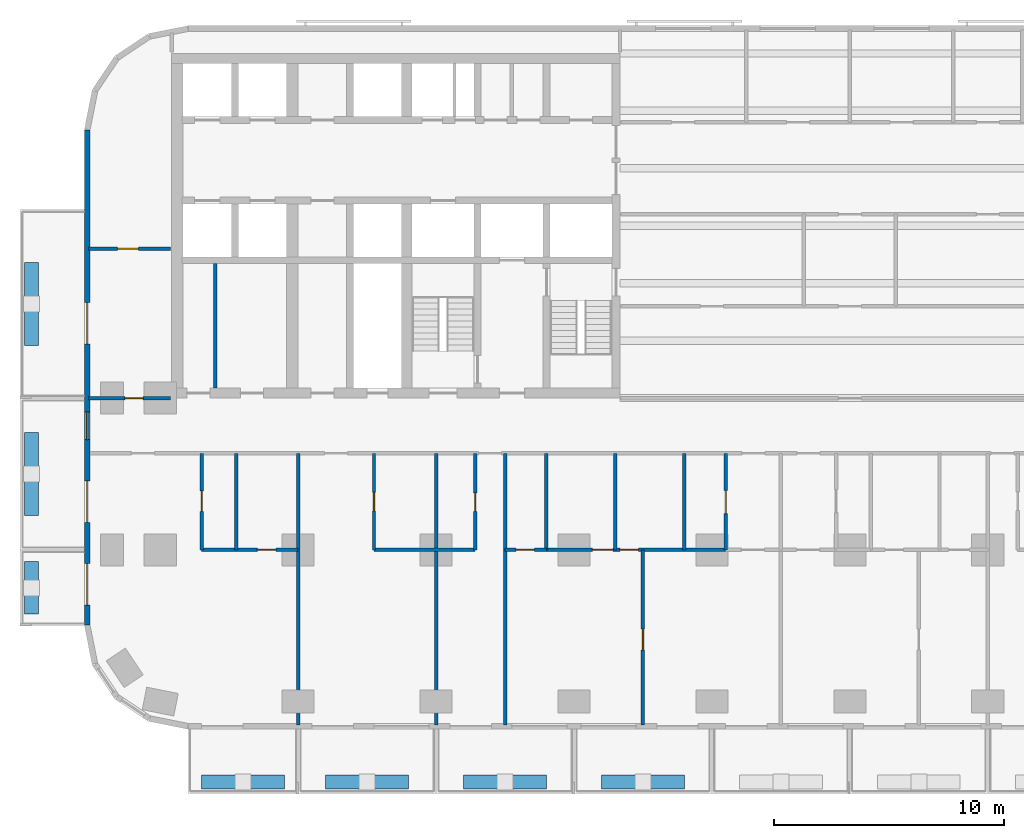
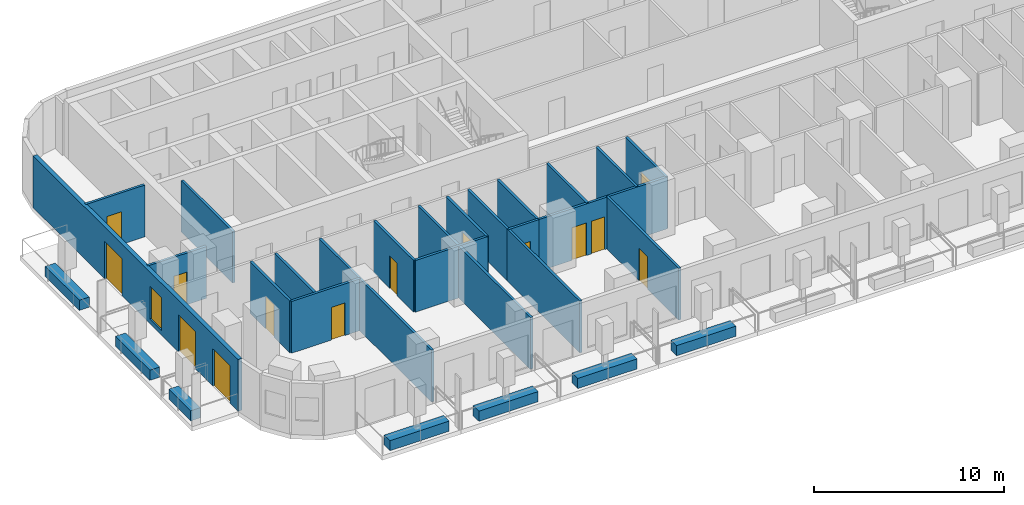
# One storey, part 2 of 13: 28 walls, 14 doors, 1 window, 15 openings.
"""IFC4 building model written with IfcOpenShell, lengths in metres."""

from ifc_helpers import new_model, si_unit, direction, frame, frame_2d, origin, place, context, subcontext, project, spatial, rectangle, extrude, material, layer, layer_set, type_object, element, fill, save


model = new_model("IFC4")

# Units and contexts
model_context = context("Model", 3, precision=1e-05, world=origin(), true_north=direction((0.0, 1.0)))
body_context = subcontext(model_context, "Body", "Model", "MODEL_VIEW")
ifc_project = project(units=[si_unit("LENGTHUNIT", "METRE"), si_unit("AREAUNIT", "SQUARE_METRE"), si_unit("VOLUMEUNIT", "CUBIC_METRE"), si_unit("PLANEANGLEUNIT", "RADIAN"), si_unit("MASSUNIT", "GRAM", prefix="KILO")], contexts=[model_context])

# Site, building, storey
site_placement = place(None, origin())
site = spatial("IfcSite", under=ifc_project, at=site_placement, CompositionType="ELEMENT")
building_placement = place(site_placement, origin())
building = spatial("IfcBuilding", under=site, at=building_placement, Name="Torana Hotel and Residences", CompositionType="ELEMENT")
storey_placement = place(building_placement, frame((0.0, 0.0, 78.0)))
storey = spatial("IfcBuildingStorey", under=building, at=storey_placement, Name="L19", CompositionType="ELEMENT", Elevation=78.0)

# Wall, openings, doors, window
ifc_material_1 = material(Name="Black aluminium composite panel", Category="aluminium")
ifc_layer_1 = layer(ifc_material_1, 0.00390625, Name="Cladding", Category="cladding")
ifc_material_2 = material(Name="Ventilated air cavity")
ifc_layer_2 = layer(ifc_material_2, 0.0400390625, Name="Ventilated cavity", Category="cavity")
ifc_material_3 = material(Name="Mineral wool insulation")
ifc_layer_3 = layer(ifc_material_3, 0.090087890625, Name="Insulation", Category="insulation")
ifc_material_4 = material(Name="Steel S280GD", Category="steel")
ifc_layer_4 = layer(ifc_material_4, 0.092041015625, Name="Steel stud frame", Category="structure")
ifc_material_5 = material(Name="Fire rated plasterboard")
ifc_layer_5 = layer(ifc_material_5, 0.011962890625, Name="Inner board", Category="finish")
ifc_layer_6 = layer(ifc_material_5, 0.011962890625, Name="Second board", Category="finish")
ifc_layer_set_1 = layer_set([ifc_layer_1, ifc_layer_2, ifc_layer_3, ifc_layer_4, ifc_layer_5, ifc_layer_6], Name="EW1 EXTERNAL WALL BLACK METAL CLAD 250")
wall_type_1 = type_object("IfcWallType", Name="EW1 EXTERNAL WALL BLACK METAL CLAD 250", PredefinedType="SOLIDWALL", material=ifc_layer_set_1)
wall_1_placement = place(storey_placement, frame((-33.175048828125, -3.32470703125, 0.0), z_axis=(0.0, 0.0, 1.0), x_axis=(0.0, -1.0, 0.0)))
wall_1 = element("IfcWall", 1, at=wall_1_placement, inside=storey, type_object=wall_type_1, Name="External wall L19 e0.9", PredefinedType="SOLIDWALL", context=body_context, shape_type="SweptSolid", body=[
    extrude(rectangle(XDim=21.55078125, YDim=0.25, at=frame_2d((10.775390625, 0.0))), origin(), (0.0, 0.0, 1.0), 3.320068359375),
])
opening_1_placement = place(wall_1_placement, frame((7.525390625, 0.0, 0.0)))
opening_1 = element("IfcOpeningElement", 2, at=opening_1_placement, cuts=wall_1, Name="Opening L19-E14", PredefinedType="OPENING", context=body_context, shape_type="SweptSolid", body=[
    extrude(rectangle(XDim=1.800048828125, YDim=2.39990234375, at=frame_2d((0.89990234375, 1.199951171875))), frame((0.0, 0.135009765625, 0.0), z_axis=(0.0, -1.0, 0.0), x_axis=(1.0, 0.0, 0.0)), (0.0, 0.0, 1.0), 0.27001953125),
])
opening_2_placement = place(wall_1_placement, frame((12.275390625, 0.0, 0.300048828125)))
opening_2 = element("IfcOpeningElement", 3, at=opening_2_placement, cuts=wall_1, Name="Opening W7", PredefinedType="OPENING", context=body_context, shape_type="SweptSolid", body=[
    extrude(rectangle(XDim=1.199951171875, YDim=2.10009765625, at=frame_2d((0.60009765625, 1.050048828125))), frame((0.0, 0.135009765625, 0.0), z_axis=(0.0, -1.0, 0.0), x_axis=(1.0, 0.0, 0.0)), (0.0, 0.0, 1.0), 0.27001953125),
])
opening_3_placement = place(wall_1_placement, frame((15.275390625, 0.0, 0.0)))
opening_3 = element("IfcOpeningElement", 4, at=opening_3_placement, cuts=wall_1, Name="Opening L19-E15", PredefinedType="OPENING", context=body_context, shape_type="SweptSolid", body=[
    extrude(rectangle(XDim=1.800048828125, YDim=2.39990234375, at=frame_2d((0.89990234375, 1.199951171875))), frame((0.0, 0.135009765625, 0.0), z_axis=(0.0, -1.0, 0.0), x_axis=(1.0, 0.0, 0.0)), (0.0, 0.0, 1.0), 0.27001953125),
])
opening_4_placement = place(wall_1_placement, frame((18.87548828125, 0.0, 0.0)))
opening_4 = element("IfcOpeningElement", 5, at=opening_4_placement, cuts=wall_1, Name="Opening L19-E16", PredefinedType="OPENING", context=body_context, shape_type="SweptSolid", body=[
    extrude(rectangle(XDim=1.800048828125, YDim=2.39990234375, at=frame_2d((0.89990234375, 1.199951171875))), frame((0.0, 0.135009765625, 0.0), z_axis=(0.0, -1.0, 0.0), x_axis=(1.0, 0.0, 0.0)), (0.0, 0.0, 1.0), 0.27001953125),
])
ifc_material_6 = material(Name="Dark glass in black aluminium frame", Category="aluminium")
door_type_1 = type_object("IfcDoorType", Name="DB1 BALCONY DOOR 1800x2400", OperationType="DOUBLE_DOOR_SINGLE_SWING", PredefinedType="DOOR", material=ifc_material_6)
door_1_placement = place(opening_1_placement, origin())
door_1 = element("IfcDoor", 6, at=door_1_placement, inside=storey, type_object=door_type_1, Name="Balcony door L19", OperationType="DOUBLE_DOOR_SINGLE_SWING", OverallHeight=2.39990234375, OverallWidth=1.800048828125, PredefinedType="DOOR", context=body_context, shape_type="SweptSolid", body=[
    extrude(rectangle(XDim=1.800048828125, YDim=2.39990234375, at=frame_2d((0.89990234375, 1.199951171875))), frame((0.0, 0.02490234375, 0.0), z_axis=(0.0, -1.0, 0.0), x_axis=(1.0, 0.0, 0.0)), (0.0, 0.0, 1.0), 0.050048828125),
])
fill(opening_1, door_1)
door_2_placement = place(opening_3_placement, origin())
door_2 = element("IfcDoor", 7, at=door_2_placement, inside=storey, type_object=door_type_1, Name="Balcony door L19", OperationType="DOUBLE_DOOR_SINGLE_SWING", OverallHeight=2.39990234375, OverallWidth=1.800048828125, PredefinedType="DOOR", context=body_context, shape_type="SweptSolid", body=[
    extrude(rectangle(XDim=1.800048828125, YDim=2.39990234375, at=frame_2d((0.89990234375, 1.199951171875))), frame((0.0, 0.02490234375, 0.0), z_axis=(0.0, -1.0, 0.0), x_axis=(1.0, 0.0, 0.0)), (0.0, 0.0, 1.0), 0.050048828125),
])
fill(opening_3, door_2)
door_3_placement = place(opening_4_placement, frame((0.89990234375, 0.0, 0.0), z_axis=(0.0, 0.0, 1.0), x_axis=(-1.0, 0.0, 0.0)))
door_3 = element("IfcDoor", 8, at=door_3_placement, inside=storey, type_object=door_type_1, Name="Balcony door L19", OperationType="DOUBLE_DOOR_SINGLE_SWING", OverallHeight=2.39990234375, OverallWidth=1.800048828125, PredefinedType="DOOR", context=body_context, shape_type="SweptSolid", body=[
    extrude(rectangle(XDim=1.800048828125, YDim=2.39990234375, at=frame_2d((0.0, 1.199951171875))), frame((0.0, -0.02490234375, 0.0), z_axis=(0.0, 1.0, 0.0), x_axis=(-1.0, 0.0, 0.0)), (0.0, 0.0, 1.0), 0.050048828125),
])
fill(opening_4, door_3)
ifc_material_7 = material(Name="Dark glass in black aluminium frame", Category="aluminium")
window_type = type_object("IfcWindowType", Name="W7 HOTEL CORRIDOR WINDOW 1200x2100", PartitioningType="SINGLE_PANEL", PredefinedType="WINDOW", material=ifc_material_7)
window_placement = place(opening_2_placement, origin())
window = element("IfcWindow", 9, at=window_placement, inside=storey, type_object=window_type, Name="Window L19", OverallHeight=2.10009765625, OverallWidth=1.199951171875, PartitioningType="SINGLE_PANEL", PredefinedType="WINDOW", context=body_context, shape_type="SweptSolid", body=[
    extrude(rectangle(XDim=1.199951171875, YDim=2.10009765625, at=frame_2d((0.60009765625, 1.050048828125))), frame((0.0, 0.030029296875, 0.0), z_axis=(0.0, -1.0, 0.0), x_axis=(1.0, 0.0, 0.0)), (0.0, 0.0, 1.0), 0.06005859375),
])
fill(opening_2, window)

# Wall
ifc_material_8 = material(Name="Gypsum plaster")
ifc_layer_7 = layer(ifc_material_8, 0.014892578125, Name="Plaster", Category="finish")
ifc_material_9 = material(Name="Concrete blockwork", Category="masonry")
ifc_layer_8 = layer(ifc_material_9, 0.1201171875, Name="Blockwork", Category="structure")
ifc_layer_9 = layer(ifc_material_8, 0.014892578125, Name="Plaster", Category="finish")
ifc_layer_set_2 = layer_set([ifc_layer_7, ifc_layer_8, ifc_layer_9], Name="FIRE PARTITION 150 BLOCKWORK")
wall_type_2 = type_object("IfcWallType", Name="FIRE PARTITION 150 BLOCKWORK", PredefinedType="PARTITIONING", material=ifc_layer_set_2)
wall_2_placement = place(storey_placement, frame((-27.60009765625, -14.550048828125, 0.0), z_axis=(0.0, 0.0, 1.0), x_axis=(0.0, 1.0, 0.0)))
element("IfcWall", 10, at=wall_2_placement, inside=storey, type_object=wall_type_2, Name="Core partition L19", PredefinedType="PARTITIONING", context=body_context, shape_type="SweptSolid", body=[
    extrude(rectangle(XDim=5.400146484375, YDim=0.14990234375, at=frame_2d((2.7001953125, 0.0))), origin(), (0.0, 0.0, 1.0), 3.300048828125),
])

# Wall, opening, door
wall_3_placement = place(storey_placement, frame((-5.39990234375, -21.60009765625, 0.0), z_axis=(0.0, 0.0, 1.0), x_axis=(0.0, 1.0, 0.0)))
wall_3 = element("IfcWall", 11, at=wall_3_placement, inside=storey, type_object=wall_type_2, Name="Partition L19", PredefinedType="PARTITIONING", context=body_context, shape_type="SweptSolid", body=[
    extrude(rectangle(XDim=4.2001953125, YDim=0.14990234375, at=frame_2d((2.10009765625, 0.0))), origin(), (0.0, 0.0, 1.0), 3.320068359375),
])
opening_5_placement = place(wall_3_placement, frame((1.580078125, 0.0, 0.0)))
opening_5 = element("IfcOpeningElement", 12, at=opening_5_placement, cuts=wall_3, Name="Opening L19-63", PredefinedType="OPENING", context=body_context, shape_type="SweptSolid", body=[
    extrude(rectangle(XDim=1.0, YDim=2.10009765625, at=frame_2d((0.5, 1.050048828125))), frame((0.0, 0.0849609375, 0.0), z_axis=(0.0, -1.0, 0.0), x_axis=(1.0, 0.0, 0.0)), (0.0, 0.0, 1.0), 0.169921875),
])
ifc_material_10 = material(Name="Steel S235", Category="steel")
door_type_2 = type_object("IfcDoorType", Name="ENTRY FIRE DOOR D6 1000x2100", OperationType="SINGLE_SWING_LEFT", PredefinedType="DOOR", material=ifc_material_10)
door_4_placement = place(opening_5_placement, origin())
door_4 = element("IfcDoor", 13, at=door_4_placement, inside=storey, type_object=door_type_2, Name="Door L19", OperationType="SINGLE_SWING_RIGHT", OverallHeight=2.10009765625, OverallWidth=1.0, PredefinedType="DOOR", context=body_context, shape_type="SweptSolid", body=[
    extrude(rectangle(XDim=1.0, YDim=2.10009765625, at=frame_2d((0.5, 1.050048828125))), frame((0.0, 0.02490234375, 0.0), z_axis=(0.0, -1.0, 0.0), x_axis=(1.0, 0.0, 0.0)), (0.0, 0.0, 1.0), 0.050048828125),
])
fill(opening_5, door_4)

wall_4_placement = place(storey_placement, frame((-33.1201171875, -15.0, 0.0), z_axis=(0.0, 0.0, 1.0), x_axis=(1.0, 0.0, 0.0)))
wall_4 = element("IfcWall", 14, at=wall_4_placement, inside=storey, type_object=wall_type_2, Name="Partition L19", PredefinedType="PARTITIONING", context=body_context, shape_type="SweptSolid", body=[
    extrude(rectangle(XDim=3.570068359375, YDim=0.14990234375, at=frame_2d((1.78515625, 0.0))), origin(), (0.0, 0.0, 1.0), 3.320068359375),
])
opening_6_placement = place(wall_4_placement, frame((1.580078125, 0.0, 0.0)))
opening_6 = element("IfcOpeningElement", 15, at=opening_6_placement, cuts=wall_4, Name="Opening L19-47", PredefinedType="OPENING", context=body_context, shape_type="SweptSolid", body=[
    extrude(rectangle(XDim=0.800048828125, YDim=2.10009765625, at=frame_2d((0.39990234375, 1.050048828125))), frame((0.0, 0.0849609375, 0.0), z_axis=(0.0, -1.0, 0.0), x_axis=(1.0, 0.0, 0.0)), (0.0, 0.0, 1.0), 0.169921875),
])
ifc_material_11 = material(Name="Steel S235", Category="steel")
door_type_3 = type_object("IfcDoorType", Name="STORE FIRE DOOR D16 800x2100", OperationType="SINGLE_SWING_LEFT", PredefinedType="DOOR", material=ifc_material_11)
door_5_placement = place(opening_6_placement, origin())
door_5 = element("IfcDoor", 16, at=door_5_placement, inside=storey, type_object=door_type_3, Name="Door L19", OperationType="SINGLE_SWING_RIGHT", OverallHeight=2.10009765625, OverallWidth=0.800048828125, PredefinedType="DOOR", context=body_context, shape_type="SweptSolid", body=[
    extrude(rectangle(XDim=0.800048828125, YDim=2.10009765625, at=frame_2d((0.39990234375, 1.050048828125))), frame((0.0, 0.02490234375, 0.0), z_axis=(0.0, -1.0, 0.0), x_axis=(1.0, 0.0, 0.0)), (0.0, 0.0, 1.0), 0.050048828125),
])
fill(opening_6, door_5)

# Wall
ifc_material_12 = material(Name="Gypsum plasterboard")
ifc_layer_10 = layer(ifc_material_12, 0.012451171875, Name="Plasterboard", Category="finish")
ifc_layer_11 = layer(ifc_material_12, 0.012451171875, Name="Plasterboard", Category="finish")
ifc_layer_12 = layer(ifc_material_4, 0.10009765625, Name="Steel studs with mineral wool", Category="insulation")
ifc_layer_13 = layer(ifc_material_12, 0.012451171875, Name="Plasterboard", Category="finish")
ifc_layer_14 = layer(ifc_material_12, 0.012451171875, Name="Plasterboard", Category="finish")
ifc_layer_set_3 = layer_set([ifc_layer_10, ifc_layer_11, ifc_layer_12, ifc_layer_13, ifc_layer_14], Name="PARTITION 150 PLASTERBOARD")
wall_type_3 = type_object("IfcWallType", Name="PARTITION 150 PLASTERBOARD", PredefinedType="PARTITIONING", material=ifc_layer_set_3)
wall_5_placement = place(storey_placement, frame((-7.199951171875, -21.60009765625, 0.0), z_axis=(0.0, 0.0, 1.0), x_axis=(0.0, 1.0, 0.0)))
element("IfcWall", 17, at=wall_5_placement, inside=storey, type_object=wall_type_3, Name="Partition L19", PredefinedType="PARTITIONING", context=body_context, shape_type="SweptSolid", body=[
    extrude(rectangle(XDim=4.2001953125, YDim=0.14990234375, at=frame_2d((2.10009765625, 0.0))), origin(), (0.0, 0.0, 1.0), 3.320068359375),
])

# Wall, opening, door
wall_6_placement = place(storey_placement, frame((-9.0, -29.219970703125, 0.0), z_axis=(0.0, 0.0, 1.0), x_axis=(0.0, 1.0, 0.0)))
wall_6 = element("IfcWall", 18, at=wall_6_placement, inside=storey, type_object=wall_type_3, Name="Partition L19", PredefinedType="PARTITIONING", context=body_context, shape_type="SweptSolid", body=[
    extrude(rectangle(XDim=7.619873046875, YDim=0.14990234375, at=frame_2d((3.81005859375, 0.0))), origin(), (0.0, 0.0, 1.0), 3.320068359375),
])
opening_7_placement = place(wall_6_placement, frame((3.27001953125, 0.0, 0.0)))
opening_7 = element("IfcOpeningElement", 19, at=opening_7_placement, cuts=wall_6, Name="Opening L19-65", PredefinedType="OPENING", context=body_context, shape_type="SweptSolid", body=[
    extrude(rectangle(XDim=0.89990234375, YDim=2.10009765625, at=frame_2d((0.449951171875, 1.050048828125))), frame((0.0, 0.0849609375, 0.0), z_axis=(0.0, -1.0, 0.0), x_axis=(1.0, 0.0, 0.0)), (0.0, 0.0, 1.0), 0.169921875),
])
ifc_material_13 = material(Name="Timber door, oiled ash", Category="wood")
door_type_4 = type_object("IfcDoorType", Name="ROOM DOOR D7 900x2100", OperationType="SINGLE_SWING_LEFT", PredefinedType="DOOR", material=ifc_material_13)
door_6_placement = place(opening_7_placement, origin())
door_6 = element("IfcDoor", 20, at=door_6_placement, inside=storey, type_object=door_type_4, Name="Door L19", OperationType="SINGLE_SWING_RIGHT", OverallHeight=2.10009765625, OverallWidth=0.89990234375, PredefinedType="DOOR", context=body_context, shape_type="SweptSolid", body=[
    extrude(rectangle(XDim=0.89990234375, YDim=2.10009765625, at=frame_2d((0.449951171875, 1.050048828125))), frame((0.0, 0.02490234375, 0.0), z_axis=(0.0, -1.0, 0.0), x_axis=(1.0, 0.0, 0.0)), (0.0, 0.0, 1.0), 0.050048828125),
])
fill(opening_7, door_6)

# Walls
wall_7_placement = place(storey_placement, frame((-10.199951171875, -21.60009765625, 0.0), z_axis=(0.0, 0.0, 1.0), x_axis=(0.0, 1.0, 0.0)))
element("IfcWall", 21, at=wall_7_placement, inside=storey, type_object=wall_type_3, Name="Partition L19", PredefinedType="PARTITIONING", context=body_context, shape_type="SweptSolid", body=[
    extrude(rectangle(XDim=4.2001953125, YDim=0.14990234375, at=frame_2d((2.10009765625, 0.0))), origin(), (0.0, 0.0, 1.0), 3.320068359375),
])
wall_8_placement = place(storey_placement, frame((-15.0, -29.219970703125, 0.0), z_axis=(0.0, 0.0, 1.0), x_axis=(0.0, 1.0, 0.0)))
element("IfcWall", 22, at=wall_8_placement, inside=storey, type_object=wall_type_3, Name="Partition L19", PredefinedType="PARTITIONING", context=body_context, shape_type="SweptSolid", body=[
    extrude(rectangle(XDim=7.619873046875, YDim=0.14990234375, at=frame_2d((3.81005859375, 0.0))), origin(), (0.0, 0.0, 1.0), 3.320068359375),
])

# Wall, opening, door
wall_9_placement = place(storey_placement, frame((-16.300048828125, -21.60009765625, 0.0), z_axis=(0.0, 0.0, 1.0), x_axis=(0.0, 1.0, 0.0)))
wall_9 = element("IfcWall", 23, at=wall_9_placement, inside=storey, type_object=wall_type_3, Name="Partition L19", PredefinedType="PARTITIONING", context=body_context, shape_type="SweptSolid", body=[
    extrude(rectangle(XDim=4.2001953125, YDim=0.14990234375, at=frame_2d((2.10009765625, 0.0))), origin(), (0.0, 0.0, 1.0), 3.320068359375),
])
opening_8_placement = place(wall_9_placement, frame((1.679931640625, 0.0, 0.0)))
opening_8 = element("IfcOpeningElement", 24, at=opening_8_placement, cuts=wall_9, Name="Opening L19-59", PredefinedType="OPENING", context=body_context, shape_type="SweptSolid", body=[
    extrude(rectangle(XDim=0.800048828125, YDim=2.10009765625, at=frame_2d((0.39990234375, 1.050048828125))), frame((0.0, 0.0849609375, 0.0), z_axis=(0.0, -1.0, 0.0), x_axis=(1.0, 0.0, 0.0)), (0.0, 0.0, 1.0), 0.169921875),
])
ifc_material_14 = material(Name="Timber door, painted", Category="wood")
door_type_5 = type_object("IfcDoorType", Name="BATH DOOR D13 800x2100", OperationType="SINGLE_SWING_LEFT", PredefinedType="DOOR", material=ifc_material_14)
door_7_placement = place(opening_8_placement, origin())
door_7 = element("IfcDoor", 25, at=door_7_placement, inside=storey, type_object=door_type_5, Name="Door L19", OperationType="SINGLE_SWING_RIGHT", OverallHeight=2.10009765625, OverallWidth=0.800048828125, PredefinedType="DOOR", context=body_context, shape_type="SweptSolid", body=[
    extrude(rectangle(XDim=0.800048828125, YDim=2.10009765625, at=frame_2d((0.39990234375, 1.050048828125))), frame((0.0, 0.02490234375, 0.0), z_axis=(0.0, -1.0, 0.0), x_axis=(1.0, 0.0, 0.0)), (0.0, 0.0, 1.0), 0.050048828125),
])
fill(opening_8, door_7)

# Wall
wall_10_placement = place(storey_placement, frame((-18.0, -29.219970703125, 0.0), z_axis=(0.0, 0.0, 1.0), x_axis=(0.0, 1.0, 0.0)))
element("IfcWall", 26, at=wall_10_placement, inside=storey, type_object=wall_type_3, Name="Partition L19", PredefinedType="PARTITIONING", context=body_context, shape_type="SweptSolid", body=[
    extrude(rectangle(XDim=11.820068359375, YDim=0.14990234375, at=frame_2d((5.91015625, 0.0))), origin(), (0.0, 0.0, 1.0), 3.320068359375),
])

# Wall, opening, door
wall_11_placement = place(storey_placement, frame((-20.699951171875, -21.60009765625, 0.0), z_axis=(0.0, 0.0, 1.0), x_axis=(0.0, 1.0, 0.0)))
wall_11 = element("IfcWall", 27, at=wall_11_placement, inside=storey, type_object=wall_type_3, Name="Partition L19", PredefinedType="PARTITIONING", context=body_context, shape_type="SweptSolid", body=[
    extrude(rectangle(XDim=4.2001953125, YDim=0.14990234375, at=frame_2d((2.10009765625, 0.0))), origin(), (0.0, 0.0, 1.0), 3.320068359375),
])
opening_9_placement = place(wall_11_placement, frame((1.699951171875, 0.0, 0.0)))
opening_9 = element("IfcOpeningElement", 28, at=opening_9_placement, cuts=wall_11, Name="Opening L19-58", PredefinedType="OPENING", context=body_context, shape_type="SweptSolid", body=[
    extrude(rectangle(XDim=0.800048828125, YDim=2.10009765625, at=frame_2d((0.39990234375, 1.050048828125))), frame((0.0, 0.0849609375, 0.0), z_axis=(0.0, -1.0, 0.0), x_axis=(1.0, 0.0, 0.0)), (0.0, 0.0, 1.0), 0.169921875),
])
door_8_placement = place(opening_9_placement, origin())
door_8 = element("IfcDoor", 29, at=door_8_placement, inside=storey, type_object=door_type_5, Name="Door L19", OperationType="SINGLE_SWING_RIGHT", OverallHeight=2.10009765625, OverallWidth=0.800048828125, PredefinedType="DOOR", context=body_context, shape_type="SweptSolid", body=[
    extrude(rectangle(XDim=0.800048828125, YDim=2.10009765625, at=frame_2d((0.39990234375, 1.050048828125))), frame((0.0, 0.02490234375, 0.0), z_axis=(0.0, -1.0, 0.0), x_axis=(1.0, 0.0, 0.0)), (0.0, 0.0, 1.0), 0.050048828125),
])
fill(opening_9, door_8)

# Walls
wall_12_placement = place(storey_placement, frame((-24.0, -29.219970703125, 0.0), z_axis=(0.0, 0.0, 1.0), x_axis=(0.0, 1.0, 0.0)))
element("IfcWall", 30, at=wall_12_placement, inside=storey, type_object=wall_type_3, Name="Partition L19", PredefinedType="PARTITIONING", context=body_context, shape_type="SweptSolid", body=[
    extrude(rectangle(XDim=11.820068359375, YDim=0.14990234375, at=frame_2d((5.91015625, 0.0))), origin(), (0.0, 0.0, 1.0), 3.320068359375),
])
wall_13_placement = place(storey_placement, frame((-26.699951171875, -21.60009765625, 0.0), z_axis=(0.0, 0.0, 1.0), x_axis=(0.0, 1.0, 0.0)))
element("IfcWall", 31, at=wall_13_placement, inside=storey, type_object=wall_type_3, Name="Partition L19", PredefinedType="PARTITIONING", context=body_context, shape_type="SweptSolid", body=[
    extrude(rectangle(XDim=4.2001953125, YDim=0.14990234375, at=frame_2d((2.10009765625, 0.0))), origin(), (0.0, 0.0, 1.0), 3.320068359375),
])

# Wall, opening, door
wall_14_placement = place(storey_placement, frame((-28.199951171875, -21.60009765625, 0.0), z_axis=(0.0, 0.0, 1.0), x_axis=(0.0, 1.0, 0.0)))
wall_14 = element("IfcWall", 32, at=wall_14_placement, inside=storey, type_object=wall_type_3, Name="Partition L19", PredefinedType="PARTITIONING", context=body_context, shape_type="SweptSolid", body=[
    extrude(rectangle(XDim=4.2001953125, YDim=0.14990234375, at=frame_2d((2.10009765625, 0.0))), origin(), (0.0, 0.0, 1.0), 3.320068359375),
])
opening_10_placement = place(wall_14_placement, frame((1.669921875, 0.0, 0.0)))
opening_10 = element("IfcOpeningElement", 33, at=opening_10_placement, cuts=wall_14, Name="Opening L19-76", PredefinedType="OPENING", context=body_context, shape_type="SweptSolid", body=[
    extrude(rectangle(XDim=0.89990234375, YDim=2.10009765625, at=frame_2d((0.449951171875, 1.050048828125))), frame((0.0, 0.0849609375, 0.0), z_axis=(0.0, -1.0, 0.0), x_axis=(1.0, 0.0, 0.0)), (0.0, 0.0, 1.0), 0.169921875),
])
door_9_placement = place(opening_10_placement, origin())
door_9 = element("IfcDoor", 34, at=door_9_placement, inside=storey, type_object=door_type_4, Name="Door L19", OperationType="SINGLE_SWING_RIGHT", OverallHeight=2.10009765625, OverallWidth=0.89990234375, PredefinedType="DOOR", context=body_context, shape_type="SweptSolid", body=[
    extrude(rectangle(XDim=0.89990234375, YDim=2.10009765625, at=frame_2d((0.449951171875, 1.050048828125))), frame((0.0, 0.02490234375, 0.0), z_axis=(0.0, -1.0, 0.0), x_axis=(1.0, 0.0, 0.0)), (0.0, 0.0, 1.0), 0.050048828125),
])
fill(opening_10, door_9)

wall_15_placement = place(storey_placement, frame((-28.199951171875, -21.60009765625, 0.0), z_axis=(0.0, 0.0, 1.0), x_axis=(1.0, 0.0, 0.0)))
wall_15 = element("IfcWall", 35, at=wall_15_placement, inside=storey, type_object=wall_type_3, Name="Partition L19", PredefinedType="PARTITIONING", context=body_context, shape_type="SweptSolid", body=[
    extrude(rectangle(XDim=4.199951171875, YDim=0.14990234375, at=frame_2d((2.10009765625, 0.0))), origin(), (0.0, 0.0, 1.0), 3.320068359375),
])
opening_11_placement = place(wall_15_placement, frame((2.429931640625, 0.0, 0.0)))
opening_11 = element("IfcOpeningElement", 36, at=opening_11_placement, cuts=wall_15, Name="Opening L19-75", PredefinedType="OPENING", context=body_context, shape_type="SweptSolid", body=[
    extrude(rectangle(XDim=0.800048828125, YDim=2.10009765625, at=frame_2d((0.39990234375, 1.050048828125))), frame((0.0, 0.0849609375, 0.0), z_axis=(0.0, -1.0, 0.0), x_axis=(1.0, 0.0, 0.0)), (0.0, 0.0, 1.0), 0.169921875),
])
door_10_placement = place(opening_11_placement, origin())
door_10 = element("IfcDoor", 37, at=door_10_placement, inside=storey, type_object=door_type_5, Name="Door L19", OperationType="SINGLE_SWING_LEFT", OverallHeight=2.10009765625, OverallWidth=0.800048828125, PredefinedType="DOOR", context=body_context, shape_type="SweptSolid", body=[
    extrude(rectangle(XDim=0.800048828125, YDim=2.10009765625, at=frame_2d((0.39990234375, 1.050048828125))), frame((0.0, 0.02490234375, 0.0), z_axis=(0.0, -1.0, 0.0), x_axis=(1.0, 0.0, 0.0)), (0.0, 0.0, 1.0), 0.050048828125),
])
fill(opening_11, door_10)

# Wall
wall_16_placement = place(storey_placement, frame((-20.699951171875, -21.60009765625, 0.0), z_axis=(0.0, 0.0, 1.0), x_axis=(1.0, 0.0, 0.0)))
element("IfcWall", 38, at=wall_16_placement, inside=storey, type_object=wall_type_3, Name="Partition L19", PredefinedType="PARTITIONING", context=body_context, shape_type="SweptSolid", body=[
    extrude(rectangle(XDim=4.39990234375, YDim=0.14990234375, at=frame_2d((2.199951171875, 0.0))), origin(), (0.0, 0.0, 1.0), 3.320068359375),
])

# Wall, openings, doors
wall_17_placement = place(storey_placement, frame((-13.199951171875, -21.60009765625, 0.0), z_axis=(0.0, 0.0, 1.0), x_axis=(1.0, 0.0, 0.0)))
wall_17 = element("IfcWall", 39, at=wall_17_placement, inside=storey, type_object=wall_type_3, Name="Partition L19", PredefinedType="PARTITIONING", context=body_context, shape_type="SweptSolid", body=[
    extrude(rectangle(XDim=7.800048828125, YDim=0.14990234375, at=frame_2d((3.89990234375, 0.0))), origin(), (0.0, 0.0, 1.0), 3.320068359375),
])
opening_12_placement = place(wall_17_placement, frame((2.0, 0.0, 0.0)))
opening_12 = element("IfcOpeningElement", 40, at=opening_12_placement, cuts=wall_17, Name="Opening L19-61", PredefinedType="OPENING", context=body_context, shape_type="SweptSolid", body=[
    extrude(rectangle(XDim=0.89990234375, YDim=2.10009765625, at=frame_2d((0.449951171875, 1.050048828125))), frame((0.0, 0.0849609375, 0.0), z_axis=(0.0, -1.0, 0.0), x_axis=(1.0, 0.0, 0.0)), (0.0, 0.0, 1.0), 0.169921875),
])
opening_13_placement = place(wall_17_placement, frame((3.198974609375, 0.0, 0.0)))
opening_13 = element("IfcOpeningElement", 41, at=opening_13_placement, cuts=wall_17, Name="Opening L19-62", PredefinedType="OPENING", context=body_context, shape_type="SweptSolid", body=[
    extrude(rectangle(XDim=0.800048828125, YDim=2.10009765625, at=frame_2d((0.39990234375, 1.050048828125))), frame((0.0, 0.0849609375, 0.0), z_axis=(0.0, -1.0, 0.0), x_axis=(1.0, 0.0, 0.0)), (0.0, 0.0, 1.0), 0.169921875),
])
door_11_placement = place(opening_13_placement, origin())
door_11 = element("IfcDoor", 42, at=door_11_placement, inside=storey, type_object=door_type_5, Name="Door L19", OperationType="SINGLE_SWING_RIGHT", OverallHeight=2.10009765625, OverallWidth=0.800048828125, PredefinedType="DOOR", context=body_context, shape_type="SweptSolid", body=[
    extrude(rectangle(XDim=0.800048828125, YDim=2.10009765625, at=frame_2d((0.39990234375, 1.050048828125))), frame((0.0, 0.02490234375, 0.0), z_axis=(0.0, -1.0, 0.0), x_axis=(1.0, 0.0, 0.0)), (0.0, 0.0, 1.0), 0.050048828125),
])
fill(opening_13, door_11)
door_12_placement = place(opening_12_placement, frame((0.449951171875, 0.0, 0.0), z_axis=(0.0, 0.0, 1.0), x_axis=(-1.0, 0.0, 0.0)))
door_12 = element("IfcDoor", 43, at=door_12_placement, inside=storey, type_object=door_type_4, Name="Door L19", OperationType="SINGLE_SWING_LEFT", OverallHeight=2.10009765625, OverallWidth=0.89990234375, PredefinedType="DOOR", context=body_context, shape_type="SweptSolid", body=[
    extrude(rectangle(XDim=0.89990234375, YDim=2.10009765625, at=frame_2d((0.0, 1.050048828125))), frame((0.0, -0.02490234375, 0.0), z_axis=(0.0, 1.0, 0.0), x_axis=(-1.0, 0.0, 0.0)), (0.0, 0.0, 1.0), 0.050048828125),
])
fill(opening_12, door_12)

# Wall, opening, door
wall_18_placement = place(storey_placement, frame((-33.1201171875, -8.5, 0.0), z_axis=(0.0, 0.0, 1.0), x_axis=(1.0, 0.0, 0.0)))
wall_18 = element("IfcWall", 44, at=wall_18_placement, inside=storey, type_object=wall_type_3, Name="Partition L19", PredefinedType="PARTITIONING", context=body_context, shape_type="SweptSolid", body=[
    extrude(rectangle(XDim=3.570068359375, YDim=0.14990234375, at=frame_2d((1.78515625, 0.0))), origin(), (0.0, 0.0, 1.0), 3.320068359375),
])
opening_14_placement = place(wall_18_placement, frame((1.27001953125, 0.0, 0.0)))
opening_14 = element("IfcOpeningElement", 45, at=opening_14_placement, cuts=wall_18, Name="Opening L19-79", PredefinedType="OPENING", context=body_context, shape_type="SweptSolid", body=[
    extrude(rectangle(XDim=0.89990234375, YDim=2.10009765625, at=frame_2d((0.449951171875, 1.050048828125))), frame((0.0, 0.0849609375, 0.0), z_axis=(0.0, -1.0, 0.0), x_axis=(1.0, 0.0, 0.0)), (0.0, 0.0, 1.0), 0.169921875),
])
door_13_placement = place(opening_14_placement, origin())
door_13 = element("IfcDoor", 46, at=door_13_placement, inside=storey, type_object=door_type_4, Name="Door L19", OperationType="SINGLE_SWING_RIGHT", OverallHeight=2.10009765625, OverallWidth=0.89990234375, PredefinedType="DOOR", context=body_context, shape_type="SweptSolid", body=[
    extrude(rectangle(XDim=0.89990234375, YDim=2.10009765625, at=frame_2d((0.449951171875, 1.050048828125))), frame((0.0, 0.02490234375, 0.0), z_axis=(0.0, -1.0, 0.0), x_axis=(1.0, 0.0, 0.0)), (0.0, 0.0, 1.0), 0.050048828125),
])
fill(opening_14, door_13)

# Walls
ifc_material_15 = material(Name="Concrete C40/50 precast", Category="concrete")
ifc_layer_15 = layer(ifc_material_15, 0.10009765625, Name="Planter shell", Category="structure")
ifc_material_16 = material(Name="Root resistant membrane")
ifc_layer_16 = layer(ifc_material_16, 0.00390625, Name="Waterproofing membrane", Category="membrane")
ifc_material_17 = material(Name="Drainage board with filter fleece")
ifc_layer_17 = layer(ifc_material_17, 0.02001953125, Name="Drainage board", Category="drainage")
ifc_material_18 = material(Name="Growing medium")
ifc_layer_18 = layer(ifc_material_18, 0.47607421875, Name="Planting substrate", Category="soil")
ifc_layer_set_4 = layer_set([ifc_layer_15, ifc_layer_16, ifc_layer_17, ifc_layer_18], Name="PL1 BALCONY PLANTER 600")
wall_type_4 = type_object("IfcWallType", Name="PL1 BALCONY PLANTER 600", PredefinedType="USERDEFINED", material=ifc_layer_set_4)
wall_19_placement = place(storey_placement, frame((-24.60009765625, -31.699951171875, 0.0), z_axis=(0.0, 0.0, 1.0), x_axis=(-1.0, 0.0, 0.0)))
element("IfcWall", 47, at=wall_19_placement, inside=storey, type_object=wall_type_4, Name="Planter 01", ObjectType="PLANTER", PredefinedType="USERDEFINED", context=body_context, shape_type="SweptSolid", body=[
    extrude(rectangle(XDim=3.599853515625, YDim=0.60009765625, at=frame_2d((1.7998046875, 0.0))), origin(), (0.0, 0.0, 1.0), 0.64990234375),
])
for number, where, z_axis, x_axis, name in (
    (48, (-19.199951171875, -31.699951171875, 0.0), (0.0, 0.0, 1.0), (-1.0, 0.0, 0.0), "Planter 02"),
    (49, (-13.199951171875, -31.699951171875, 0.0), (0.0, 0.0, 1.0), (-1.0, 0.0, 0.0), "Planter 03"),
    (50, (-7.199951171875, -31.699951171875, 0.0), (0.0, 0.0, 1.0), (-1.0, 0.0, 0.0), "Planter 04"),
):
    element("IfcWall", number, at=place(storey_placement, frame(where, z_axis=z_axis, x_axis=x_axis)), inside=storey, type_object=wall_type_4, Name=name, ObjectType="PLANTER", PredefinedType="USERDEFINED", context=body_context, shape_type="SweptSolid", body=[
        extrude(rectangle(XDim=3.60009765625, YDim=0.60009765625, at=frame_2d((1.800048828125, 0.0))), origin(), (0.0, 0.0, 1.0), 0.64990234375),
    ])
wall_20_placement = place(storey_placement, frame((-35.60009765625, -24.39990234375, 0.0), z_axis=(0.0, 0.0, 1.0), x_axis=(0.0, 1.0, 0.0)))
element("IfcWall", 51, at=wall_20_placement, inside=storey, type_object=wall_type_4, Name="Planter 11", ObjectType="PLANTER", PredefinedType="USERDEFINED", context=body_context, shape_type="SweptSolid", body=[
    extrude(rectangle(XDim=2.2998046875, YDim=0.60009765625, at=frame_2d((1.14990234375, 0.0))), origin(), (0.0, 0.0, 1.0), 0.64990234375),
])
wall_21_placement = place(storey_placement, frame((-35.60009765625, -20.10009765625, 0.0), z_axis=(0.0, 0.0, 1.0), x_axis=(0.0, 1.0, 0.0)))
element("IfcWall", 52, at=wall_21_placement, inside=storey, type_object=wall_type_4, Name="Planter 12", ObjectType="PLANTER", PredefinedType="USERDEFINED", context=body_context, shape_type="SweptSolid", body=[
    extrude(rectangle(XDim=3.60009765625, YDim=0.60009765625, at=frame_2d((1.800048828125, 0.0))), origin(), (0.0, 0.0, 1.0), 0.64990234375),
])
wall_22_placement = place(storey_placement, frame((-35.60009765625, -12.699951171875, 0.0), z_axis=(0.0, 0.0, 1.0), x_axis=(0.0, 1.0, 0.0)))
element("IfcWall", 53, at=wall_22_placement, inside=storey, type_object=wall_type_4, Name="Planter 13", ObjectType="PLANTER", PredefinedType="USERDEFINED", context=body_context, shape_type="SweptSolid", body=[
    extrude(rectangle(XDim=3.599853515625, YDim=0.60009765625, at=frame_2d((1.7998046875, 0.0))), origin(), (0.0, 0.0, 1.0), 0.64990234375),
])
ifc_material_19 = material(Name="Ceramic tile on adhesive")
ifc_layer_19 = layer(ifc_material_19, 0.010009765625, Name="Wall tile", Category="finish")
ifc_material_20 = material(Name="Cement render")
ifc_layer_20 = layer(ifc_material_20, 0.010009765625, Name="Render", Category="finish")
ifc_layer_21 = layer(ifc_material_9, 0.110107421875, Name="Blockwork", Category="structure")
ifc_layer_22 = layer(ifc_material_20, 0.010009765625, Name="Render", Category="finish")
ifc_layer_23 = layer(ifc_material_19, 0.010009765625, Name="Wall tile", Category="finish")
ifc_layer_set_5 = layer_set([ifc_layer_19, ifc_layer_20, ifc_layer_21, ifc_layer_22, ifc_layer_23], Name="WC PARTITION 150")
wall_type_5 = type_object("IfcWallType", Name="WC PARTITION 150", PredefinedType="PLUMBINGWALL", material=ifc_layer_set_5)
for number, where, z_axis, x_axis, name in (
    (54, (-13.199951171875, -21.60009765625, 0.0), (0.0, 0.0, 1.0), (0.0, 1.0, 0.0), "Partition L19"),
    (55, (-15.0, -21.60009765625, 0.0), (0.0, 0.0, 1.0), (0.0, 1.0, 0.0), "Partition L19"),
):
    element("IfcWall", number, at=place(storey_placement, frame(where, z_axis=z_axis, x_axis=x_axis)), inside=storey, type_object=wall_type_5, Name=name, PredefinedType="PLUMBINGWALL", context=body_context, shape_type="SweptSolid", body=[
        extrude(rectangle(XDim=4.2001953125, YDim=0.14990234375, at=frame_2d((2.10009765625, 0.0))), origin(), (0.0, 0.0, 1.0), 3.320068359375),
    ])

# Wall, opening, door
wall_23_placement = place(storey_placement, frame((-15.0, -21.60009765625, 0.0), z_axis=(0.0, 0.0, 1.0), x_axis=(1.0, 0.0, 0.0)))
wall_23 = element("IfcWall", 56, at=wall_23_placement, inside=storey, type_object=wall_type_5, Name="Partition L19", PredefinedType="PLUMBINGWALL", context=body_context, shape_type="SweptSolid", body=[
    extrude(rectangle(XDim=1.800048828125, YDim=0.14990234375, at=frame_2d((0.89990234375, 0.0))), origin(), (0.0, 0.0, 1.0), 3.320068359375),
])
opening_15_placement = place(wall_23_placement, frame((0.47998046875, 0.0, 0.0)))
opening_15 = element("IfcOpeningElement", 57, at=opening_15_placement, cuts=wall_23, Name="Opening L19-60", PredefinedType="OPENING", context=body_context, shape_type="SweptSolid", body=[
    extrude(rectangle(XDim=0.800048828125, YDim=2.10009765625, at=frame_2d((0.39990234375, 1.050048828125))), frame((0.0, 0.0849609375, 0.0), z_axis=(0.0, -1.0, 0.0), x_axis=(1.0, 0.0, 0.0)), (0.0, 0.0, 1.0), 0.169921875),
])
door_14_placement = place(opening_15_placement, origin())
door_14 = element("IfcDoor", 58, at=door_14_placement, inside=storey, type_object=door_type_5, Name="Door L19", OperationType="SINGLE_SWING_RIGHT", OverallHeight=2.10009765625, OverallWidth=0.800048828125, PredefinedType="DOOR", context=body_context, shape_type="SweptSolid", body=[
    extrude(rectangle(XDim=0.800048828125, YDim=2.10009765625, at=frame_2d((0.39990234375, 1.050048828125))), frame((0.0, 0.02490234375, 0.0), z_axis=(0.0, -1.0, 0.0), x_axis=(1.0, 0.0, 0.0)), (0.0, 0.0, 1.0), 0.050048828125),
])
fill(opening_15, door_14)

save(model, "model.ifc")
